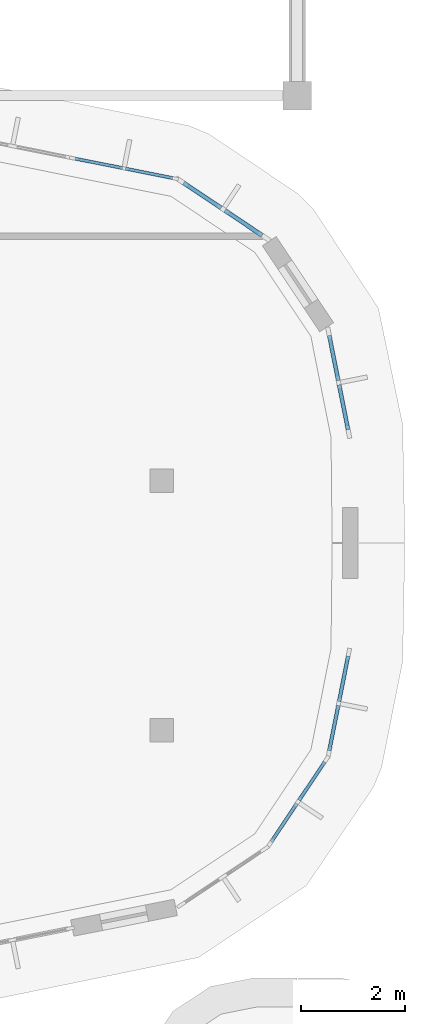
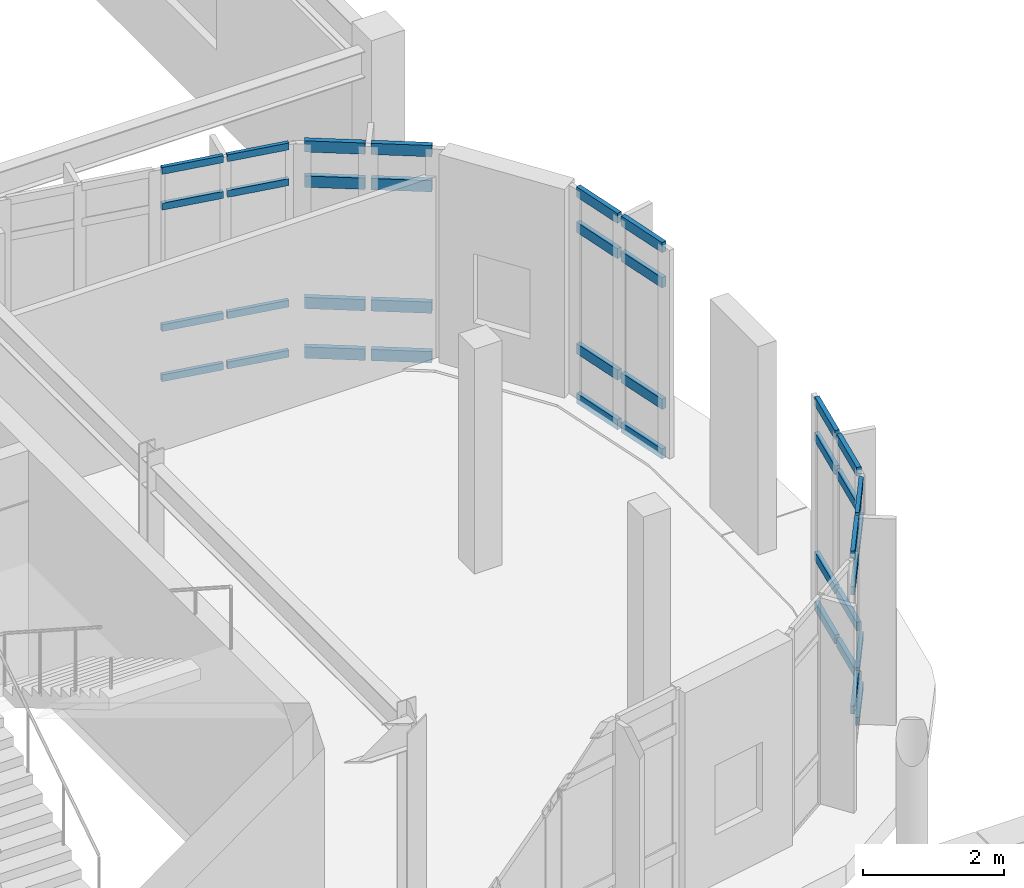
# One storey, part 61 of 111: 39 members, 5 elements without a shape of their own.
"""IFC4 building model written with IfcOpenShell, lengths in metres."""

from ifc_helpers import new_model, si_unit, direction, frame, origin, origin_2d, place, context, subcontext, project, spatial, rectangle, extrude, material, material_profile, profile_set, type_object, element, aggregate, save


model = new_model("IFC4")

# Units and contexts
model_context = context("Model", 3, precision=1e-05, world=origin(), true_north=direction((0.0, 1.0)))
body_context = subcontext(model_context, "Body", "Model", "MODEL_VIEW")
ifc_project = project(units=[si_unit("LENGTHUNIT", "METRE"), si_unit("AREAUNIT", "SQUARE_METRE"), si_unit("VOLUMEUNIT", "CUBIC_METRE"), si_unit("PLANEANGLEUNIT", "RADIAN"), si_unit("MASSUNIT", "GRAM", prefix="KILO")], contexts=[model_context])

# Site, building, storey
site_placement = place(None, origin())
site = spatial("IfcSite", under=ifc_project, at=site_placement, CompositionType="ELEMENT")
building_placement = place(site_placement, origin())
building = spatial("IfcBuilding", under=site, at=building_placement, Name="Corveleigh Park Community Centre", CompositionType="ELEMENT")
storey_placement = place(building_placement, frame((0.0, 0.0, 4.800048828125)))
storey = spatial("IfcBuildingStorey", under=building, at=storey_placement, Name="L01", CompositionType="ELEMENT", Elevation=4.800048828125)

# Curtain wall, members
ifc_material = material(Name="Anodised aluminium 6063-T6", Category="aluminium")
curtain_wall_type = type_object("IfcCurtainWallType", Name="CW-SYS-V2-HALL", PredefinedType="NOTDEFINED", material=ifc_material)
curtain_wall_1_placement = place(storey_placement, origin())
curtain_wall_1 = element("IfcCurtainWall", 1, at=curtain_wall_1_placement, inside=storey, type_object=curtain_wall_type, Name="V2 L01 Curtain Wall 211", PredefinedType="NOTDEFINED")
ifc_material_profile_1 = material_profile(ifc_material, rectangle(XDim=0.06005859375, YDim=0.1201171875, at=origin_2d()), Name="ALU-T60x120", Category="aluminium")
ifc_profile_set_1 = profile_set([ifc_material_profile_1], Name="Anodised aluminium 6063-T6")
member_type_1 = type_object("IfcMemberType", Name="CWT-60x120", PredefinedType="USERDEFINED", material=ifc_profile_set_1)
member_1_placement = place(storey_placement, frame((50.136962890625, 91.58740234375, 0.030029296875), z_axis=(0.980692321324, -0.195557078356, 0.0), x_axis=(0.195557078356, 0.980692321324, 0.0)))
member_1 = element("IfcMember", 2, at=member_1_placement, type_object=member_type_1, Name="CW04 transom 1.1", ObjectType="TRANSOM", PredefinedType="USERDEFINED", context=body_context, shape_type="SweptSolid", body=[
    extrude(rectangle(XDim=0.06005859375, YDim=0.1201171875, at=origin_2d()), origin(), (0.0, 0.0, 1.0), 0.923828125),
])
member_2_placement = place(storey_placement, frame((50.136962890625, 91.58740234375, 0.89990234375), z_axis=(0.980692321324, -0.195557078356, 0.0), x_axis=(0.195557078356, 0.980692321324, 0.0)))
member_2 = element("IfcMember", 3, at=member_2_placement, type_object=member_type_1, Name="CW04 transom 1.2", ObjectType="TRANSOM", PredefinedType="USERDEFINED", context=body_context, shape_type="SweptSolid", body=[
    extrude(rectangle(XDim=0.06005859375, YDim=0.1201171875, at=origin_2d()), origin(), (0.0, 0.0, 1.0), 0.923828125),
])
member_3_placement = place(storey_placement, frame((50.136962890625, 91.58740234375, 3.0068359375), z_axis=(0.980692321324, -0.195557078356, 0.0), x_axis=(0.195557078356, 0.980692321324, 0.0)))
member_3 = element("IfcMember", 4, at=member_3_placement, type_object=member_type_1, Name="CW04 transom 1.3", ObjectType="TRANSOM", PredefinedType="USERDEFINED", context=body_context, shape_type="SweptSolid", body=[
    extrude(rectangle(XDim=0.06005859375, YDim=0.1201171875, at=origin_2d()), origin(), (0.0, 0.0, 1.0), 0.923828125),
])
member_4_placement = place(storey_placement, frame((50.136962890625, 91.58740234375, 3.626953125), z_axis=(0.980692321324, -0.195557078356, 0.0), x_axis=(0.195557078356, 0.980692321324, 0.0)))
member_4 = element("IfcMember", 5, at=member_4_placement, type_object=member_type_1, Name="CW04 transom 1.4", ObjectType="TRANSOM", PredefinedType="USERDEFINED", context=body_context, shape_type="SweptSolid", body=[
    extrude(rectangle(XDim=0.06005859375, YDim=0.1201171875, at=origin_2d()), origin(), (0.0, 0.0, 1.0), 0.923828125),
])
member_5_placement = place(storey_placement, frame((51.101806640625, 91.395263671875, 0.030029296875), z_axis=(0.980702423621, -0.195506409881, 0.0), x_axis=(0.195506409881, 0.980702423621, 0.0)))
member_5 = element("IfcMember", 6, at=member_5_placement, type_object=member_type_1, Name="CW04 transom 2.1", ObjectType="TRANSOM", PredefinedType="USERDEFINED", context=body_context, shape_type="SweptSolid", body=[
    extrude(rectangle(XDim=0.06005859375, YDim=0.1201171875, at=origin_2d()), origin(), (0.0, 0.0, 1.0), 0.924072265625),
])
member_6_placement = place(storey_placement, frame((51.101806640625, 91.395263671875, 0.89990234375), z_axis=(0.980702423621, -0.195506409881, 0.0), x_axis=(0.195506409881, 0.980702423621, 0.0)))
member_6 = element("IfcMember", 7, at=member_6_placement, type_object=member_type_1, Name="CW04 transom 2.2", ObjectType="TRANSOM", PredefinedType="USERDEFINED", context=body_context, shape_type="SweptSolid", body=[
    extrude(rectangle(XDim=0.06005859375, YDim=0.1201171875, at=origin_2d()), origin(), (0.0, 0.0, 1.0), 0.924072265625),
])
member_7_placement = place(storey_placement, frame((51.101806640625, 91.395263671875, 3.0068359375), z_axis=(0.980702423621, -0.195506409881, 0.0), x_axis=(0.195506409881, 0.980702423621, 0.0)))
member_7 = element("IfcMember", 8, at=member_7_placement, type_object=member_type_1, Name="CW04 transom 2.3", ObjectType="TRANSOM", PredefinedType="USERDEFINED", context=body_context, shape_type="SweptSolid", body=[
    extrude(rectangle(XDim=0.06005859375, YDim=0.1201171875, at=origin_2d()), origin(), (0.0, 0.0, 1.0), 0.924072265625),
])
member_8_placement = place(storey_placement, frame((51.101806640625, 91.395263671875, 3.626953125), z_axis=(0.980702423621, -0.195506409881, 0.0), x_axis=(0.195506409881, 0.980702423621, 0.0)))
member_8 = element("IfcMember", 9, at=member_8_placement, type_object=member_type_1, Name="CW04 transom 2.4", ObjectType="TRANSOM", PredefinedType="USERDEFINED", context=body_context, shape_type="SweptSolid", body=[
    extrude(rectangle(XDim=0.06005859375, YDim=0.1201171875, at=origin_2d()), origin(), (0.0, 0.0, 1.0), 0.924072265625),
])
aggregate(curtain_wall_1, [member_1, member_2, member_3, member_4, member_5, member_6, member_7, member_8])

curtain_wall_2_placement = place(storey_placement, origin())
curtain_wall_2 = element("IfcCurtainWall", 10, at=curtain_wall_2_placement, inside=storey, type_object=curtain_wall_type, Name="V2 L01 Curtain Wall 207", PredefinedType="NOTDEFINED")
ifc_material_profile_2 = material_profile(ifc_material, rectangle(XDim=0.06494140625, YDim=0.139892578125, at=origin_2d()), Name="ALU-T65x140", Category="aluminium")
ifc_profile_set_2 = profile_set([ifc_material_profile_2], Name="Anodised aluminium 6063-T6")
member_type_2 = type_object("IfcMemberType", Name="CWT-65x140", PredefinedType="USERDEFINED", material=ifc_profile_set_2)
member_9_placement = place(storey_placement, frame((54.93017578125, 79.993896484375, 0.032470703125), z_axis=(-0.555459943482, -0.831543294836, 0.0), x_axis=(0.831543294836, -0.555459943482, 0.0)))
member_9 = element("IfcMember", 11, at=member_9_placement, type_object=member_type_2, Name="CW04 transom 1.1", ObjectType="TRANSOM", PredefinedType="USERDEFINED", context=body_context, shape_type="SweptSolid", body=[
    extrude(rectangle(XDim=0.06494140625, YDim=0.139892578125, at=origin_2d()), origin(), (0.0, 0.0, 1.0), 0.8896484375),
])
member_10_placement = place(storey_placement, frame((54.93017578125, 79.993896484375, 0.89990234375), z_axis=(-0.555459943482, -0.831543294836, 0.0), x_axis=(0.831543294836, -0.555459943482, 0.0)))
member_10 = element("IfcMember", 12, at=member_10_placement, type_object=member_type_2, Name="CW04 transom 1.2", ObjectType="TRANSOM", PredefinedType="USERDEFINED", context=body_context, shape_type="SweptSolid", body=[
    extrude(rectangle(XDim=0.06494140625, YDim=0.139892578125, at=origin_2d()), origin(), (0.0, 0.0, 1.0), 0.8896484375),
])
member_11_placement = place(storey_placement, frame((54.93017578125, 79.993896484375, 2.969970703125), z_axis=(-0.555459943482, -0.831543294836, 0.0), x_axis=(0.831543294836, -0.555459943482, 0.0)))
member_11 = element("IfcMember", 13, at=member_11_placement, type_object=member_type_2, Name="CW04 transom 1.3", ObjectType="TRANSOM", PredefinedType="USERDEFINED", context=body_context, shape_type="SweptSolid", body=[
    extrude(rectangle(XDim=0.06494140625, YDim=0.139892578125, at=origin_2d()), origin(), (0.0, 0.0, 1.0), 0.8896484375),
])
member_12_placement = place(storey_placement, frame((54.93017578125, 79.993896484375, 3.58740234375), z_axis=(-0.555459943482, -0.831543294836, 0.0), x_axis=(0.831543294836, -0.555459943482, 0.0)))
member_12 = element("IfcMember", 14, at=member_12_placement, type_object=member_type_2, Name="CW04 transom 1.4", ObjectType="TRANSOM", PredefinedType="USERDEFINED", context=body_context, shape_type="SweptSolid", body=[
    extrude(rectangle(XDim=0.06494140625, YDim=0.139892578125, at=origin_2d()), origin(), (0.0, 0.0, 1.0), 0.8896484375),
])
member_13_placement = place(storey_placement, frame((54.39697265625, 79.19580078125, 0.89990234375), z_axis=(-0.555586725262, -0.831458592302, 0.0), x_axis=(0.831458592302, -0.555586725262, 0.0)))
member_13 = element("IfcMember", 15, at=member_13_placement, type_object=member_type_2, Name="CW04 transom 2.2", ObjectType="TRANSOM", PredefinedType="USERDEFINED", context=body_context, shape_type="SweptSolid", body=[
    extrude(rectangle(XDim=0.06494140625, YDim=0.139892578125, at=origin_2d()), origin(), (0.0, 0.0, 1.0), 0.889404296875),
])
member_14_placement = place(storey_placement, frame((54.39697265625, 79.19580078125, 2.969970703125), z_axis=(-0.555586725262, -0.831458592302, 0.0), x_axis=(0.831458592302, -0.555586725262, 0.0)))
member_14 = element("IfcMember", 16, at=member_14_placement, type_object=member_type_2, Name="CW04 transom 2.3", ObjectType="TRANSOM", PredefinedType="USERDEFINED", context=body_context, shape_type="SweptSolid", body=[
    extrude(rectangle(XDim=0.06494140625, YDim=0.139892578125, at=origin_2d()), origin(), (0.0, 0.0, 1.0), 0.889404296875),
])
member_15_placement = place(storey_placement, frame((54.39697265625, 79.19580078125, 3.58740234375), z_axis=(-0.555586725262, -0.831458592302, 0.0), x_axis=(0.831458592302, -0.555586725262, 0.0)))
member_15 = element("IfcMember", 17, at=member_15_placement, type_object=member_type_2, Name="CW04 transom 2.4", ObjectType="TRANSOM", PredefinedType="USERDEFINED", context=body_context, shape_type="SweptSolid", body=[
    extrude(rectangle(XDim=0.06494140625, YDim=0.139892578125, at=origin_2d()), origin(), (0.0, 0.0, 1.0), 0.889404296875),
])
aggregate(curtain_wall_2, [member_9, member_10, member_11, member_12, member_13, member_14, member_15])

curtain_wall_3_placement = place(storey_placement, origin())
curtain_wall_3 = element("IfcCurtainWall", 18, at=curtain_wall_3_placement, inside=storey, type_object=curtain_wall_type, Name="V2 L01 Curtain Wall 208", PredefinedType="NOTDEFINED")
ifc_material_profile_3 = material_profile(ifc_material, rectangle(XDim=0.070068359375, YDim=0.155029296875, at=origin_2d()), Name="ALU-T70x155", Category="aluminium")
ifc_profile_set_3 = profile_set([ifc_material_profile_3], Name="Anodised aluminium 6063-T6")
member_type_3 = type_object("IfcMemberType", Name="CWT-70x155", PredefinedType="USERDEFINED", material=ifc_profile_set_3)
member_16_placement = place(storey_placement, frame((55.38037109375, 82.030517578125, 0.034912109375), z_axis=(-0.195063784741, -0.980790558622, 0.0), x_axis=(0.980790558622, -0.195063784741, 0.0)))
member_16 = element("IfcMember", 19, at=member_16_placement, type_object=member_type_3, Name="CW04 transom 1.1", ObjectType="TRANSOM", PredefinedType="USERDEFINED", context=body_context, shape_type="SweptSolid", body=[
    extrude(rectangle(XDim=0.070068359375, YDim=0.155029296875, at=origin_2d()), origin(), (0.0, 0.0, 1.0), 0.892333984375),
])
member_17_placement = place(storey_placement, frame((55.38037109375, 82.030517578125, 0.89990234375), z_axis=(-0.195063784741, -0.980790558622, 0.0), x_axis=(0.980790558622, -0.195063784741, 0.0)))
member_17 = element("IfcMember", 20, at=member_17_placement, type_object=member_type_3, Name="CW04 transom 1.2", ObjectType="TRANSOM", PredefinedType="USERDEFINED", context=body_context, shape_type="SweptSolid", body=[
    extrude(rectangle(XDim=0.070068359375, YDim=0.155029296875, at=origin_2d()), origin(), (0.0, 0.0, 1.0), 0.892333984375),
])
member_18_placement = place(storey_placement, frame((55.38037109375, 82.030517578125, 2.969970703125), z_axis=(-0.195063784741, -0.980790558622, 0.0), x_axis=(0.980790558622, -0.195063784741, 0.0)))
member_18 = element("IfcMember", 21, at=member_18_placement, type_object=member_type_3, Name="CW04 transom 1.3", ObjectType="TRANSOM", PredefinedType="USERDEFINED", context=body_context, shape_type="SweptSolid", body=[
    extrude(rectangle(XDim=0.070068359375, YDim=0.155029296875, at=origin_2d()), origin(), (0.0, 0.0, 1.0), 0.892333984375),
])
member_19_placement = place(storey_placement, frame((55.38037109375, 82.030517578125, 3.5849609375), z_axis=(-0.195063784741, -0.980790558622, 0.0), x_axis=(0.980790558622, -0.195063784741, 0.0)))
member_19 = element("IfcMember", 22, at=member_19_placement, type_object=member_type_3, Name="CW04 transom 1.4", ObjectType="TRANSOM", PredefinedType="USERDEFINED", context=body_context, shape_type="SweptSolid", body=[
    extrude(rectangle(XDim=0.070068359375, YDim=0.155029296875, at=origin_2d()), origin(), (0.0, 0.0, 1.0), 0.892333984375),
])
member_20_placement = place(storey_placement, frame((55.191650390625, 81.081787109375, 0.034912109375), z_axis=(-0.195063784741, -0.980790558622, 0.0), x_axis=(0.980790558622, -0.195063784741, 0.0)))
member_20 = element("IfcMember", 23, at=member_20_placement, type_object=member_type_3, Name="CW04 transom 2.1", ObjectType="TRANSOM", PredefinedType="USERDEFINED", context=body_context, shape_type="SweptSolid", body=[
    extrude(rectangle(XDim=0.070068359375, YDim=0.155029296875, at=origin_2d()), origin(), (0.0, 0.0, 1.0), 0.892333984375),
])
member_21_placement = place(storey_placement, frame((55.191650390625, 81.081787109375, 0.89990234375), z_axis=(-0.195063784741, -0.980790558622, 0.0), x_axis=(0.980790558622, -0.195063784741, 0.0)))
member_21 = element("IfcMember", 24, at=member_21_placement, type_object=member_type_3, Name="CW04 transom 2.2", ObjectType="TRANSOM", PredefinedType="USERDEFINED", context=body_context, shape_type="SweptSolid", body=[
    extrude(rectangle(XDim=0.070068359375, YDim=0.155029296875, at=origin_2d()), origin(), (0.0, 0.0, 1.0), 0.892333984375),
])
member_22_placement = place(storey_placement, frame((55.191650390625, 81.081787109375, 2.969970703125), z_axis=(-0.195063784741, -0.980790558622, 0.0), x_axis=(0.980790558622, -0.195063784741, 0.0)))
member_22 = element("IfcMember", 25, at=member_22_placement, type_object=member_type_3, Name="CW04 transom 2.3", ObjectType="TRANSOM", PredefinedType="USERDEFINED", context=body_context, shape_type="SweptSolid", body=[
    extrude(rectangle(XDim=0.070068359375, YDim=0.155029296875, at=origin_2d()), origin(), (0.0, 0.0, 1.0), 0.892333984375),
])
member_23_placement = place(storey_placement, frame((55.191650390625, 81.081787109375, 3.5849609375), z_axis=(-0.195063784741, -0.980790558622, 0.0), x_axis=(0.980790558622, -0.195063784741, 0.0)))
member_23 = element("IfcMember", 26, at=member_23_placement, type_object=member_type_3, Name="CW04 transom 2.4", ObjectType="TRANSOM", PredefinedType="USERDEFINED", context=body_context, shape_type="SweptSolid", body=[
    extrude(rectangle(XDim=0.070068359375, YDim=0.155029296875, at=origin_2d()), origin(), (0.0, 0.0, 1.0), 0.892333984375),
])
aggregate(curtain_wall_3, [member_16, member_17, member_18, member_19, member_20, member_21, member_22, member_23])

curtain_wall_4_placement = place(storey_placement, origin())
curtain_wall_4 = element("IfcCurtainWall", 27, at=curtain_wall_4_placement, inside=storey, type_object=curtain_wall_type, Name="V2 L01 Curtain Wall 209", PredefinedType="NOTDEFINED")
ifc_material_profile_4 = material_profile(ifc_material, rectangle(XDim=0.074951171875, YDim=0.175048828125, at=origin_2d()), Name="ALU-T75x175", Category="aluminium")
ifc_profile_set_4 = profile_set([ifc_material_profile_4], Name="Anodised aluminium 6063-T6")
member_type_4 = type_object("IfcMemberType", Name="CWT-75x175", PredefinedType="USERDEFINED", material=ifc_profile_set_4)
member_24_placement = place(storey_placement, frame((55.0185546875, 88.1884765625, 0.037353515625), z_axis=(0.19510769552, -0.980781824438, 0.0), x_axis=(0.980781824438, 0.19510769552, 0.0)))
member_24 = element("IfcMember", 28, at=member_24_placement, type_object=member_type_4, Name="CW04 transom 1.1", ObjectType="TRANSOM", PredefinedType="USERDEFINED", context=body_context, shape_type="SweptSolid", body=[
    extrude(rectangle(XDim=0.074951171875, YDim=0.175048828125, at=origin_2d()), origin(), (0.0, 0.0, 1.0), 0.884765625),
])
member_25_placement = place(storey_placement, frame((55.0185546875, 88.1884765625, 0.89990234375), z_axis=(0.19510769552, -0.980781824438, 0.0), x_axis=(0.980781824438, 0.19510769552, 0.0)))
member_25 = element("IfcMember", 29, at=member_25_placement, type_object=member_type_4, Name="CW04 transom 1.2", ObjectType="TRANSOM", PredefinedType="USERDEFINED", context=body_context, shape_type="SweptSolid", body=[
    extrude(rectangle(XDim=0.074951171875, YDim=0.175048828125, at=origin_2d()), origin(), (0.0, 0.0, 1.0), 0.884765625),
])
member_26_placement = place(storey_placement, frame((55.0185546875, 88.1884765625, 3.0068359375), z_axis=(0.19510769552, -0.980781824438, 0.0), x_axis=(0.980781824438, 0.19510769552, 0.0)))
member_26 = element("IfcMember", 30, at=member_26_placement, type_object=member_type_4, Name="CW04 transom 1.3", ObjectType="TRANSOM", PredefinedType="USERDEFINED", context=body_context, shape_type="SweptSolid", body=[
    extrude(rectangle(XDim=0.074951171875, YDim=0.175048828125, at=origin_2d()), origin(), (0.0, 0.0, 1.0), 0.884765625),
])
member_27_placement = place(storey_placement, frame((55.0185546875, 88.1884765625, 3.619384765625), z_axis=(0.19510769552, -0.980781824438, 0.0), x_axis=(0.980781824438, 0.19510769552, 0.0)))
member_27 = element("IfcMember", 31, at=member_27_placement, type_object=member_type_4, Name="CW04 transom 1.4", ObjectType="TRANSOM", PredefinedType="USERDEFINED", context=body_context, shape_type="SweptSolid", body=[
    extrude(rectangle(XDim=0.074951171875, YDim=0.175048828125, at=origin_2d()), origin(), (0.0, 0.0, 1.0), 0.884765625),
])
member_28_placement = place(storey_placement, frame((55.206787109375, 87.2421875, 0.037353515625), z_axis=(0.19510769552, -0.980781824438, 0.0), x_axis=(0.980781824438, 0.19510769552, 0.0)))
member_28 = element("IfcMember", 32, at=member_28_placement, type_object=member_type_4, Name="CW04 transom 2.1", ObjectType="TRANSOM", PredefinedType="USERDEFINED", context=body_context, shape_type="SweptSolid", body=[
    extrude(rectangle(XDim=0.074951171875, YDim=0.175048828125, at=origin_2d()), origin(), (0.0, 0.0, 1.0), 0.884765625),
])
member_29_placement = place(storey_placement, frame((55.206787109375, 87.2421875, 0.89990234375), z_axis=(0.19510769552, -0.980781824438, 0.0), x_axis=(0.980781824438, 0.19510769552, 0.0)))
member_29 = element("IfcMember", 33, at=member_29_placement, type_object=member_type_4, Name="CW04 transom 2.2", ObjectType="TRANSOM", PredefinedType="USERDEFINED", context=body_context, shape_type="SweptSolid", body=[
    extrude(rectangle(XDim=0.074951171875, YDim=0.175048828125, at=origin_2d()), origin(), (0.0, 0.0, 1.0), 0.884765625),
])
member_30_placement = place(storey_placement, frame((55.206787109375, 87.2421875, 3.0068359375), z_axis=(0.19510769552, -0.980781824438, 0.0), x_axis=(0.980781824438, 0.19510769552, 0.0)))
member_30 = element("IfcMember", 34, at=member_30_placement, type_object=member_type_4, Name="CW04 transom 2.3", ObjectType="TRANSOM", PredefinedType="USERDEFINED", context=body_context, shape_type="SweptSolid", body=[
    extrude(rectangle(XDim=0.074951171875, YDim=0.175048828125, at=origin_2d()), origin(), (0.0, 0.0, 1.0), 0.884765625),
])
member_31_placement = place(storey_placement, frame((55.206787109375, 87.2421875, 3.619384765625), z_axis=(0.19510769552, -0.980781824438, 0.0), x_axis=(0.980781824438, 0.19510769552, 0.0)))
member_31 = element("IfcMember", 35, at=member_31_placement, type_object=member_type_4, Name="CW04 transom 2.4", ObjectType="TRANSOM", PredefinedType="USERDEFINED", context=body_context, shape_type="SweptSolid", body=[
    extrude(rectangle(XDim=0.074951171875, YDim=0.175048828125, at=origin_2d()), origin(), (0.0, 0.0, 1.0), 0.884765625),
])
aggregate(curtain_wall_4, [member_24, member_25, member_26, member_27, member_28, member_29, member_30, member_31])

curtain_wall_5_placement = place(storey_placement, origin())
curtain_wall_5 = element("IfcCurtainWall", 36, at=curtain_wall_5_placement, inside=storey, type_object=curtain_wall_type, Name="V2 L01 Curtain Wall 210", PredefinedType="NOTDEFINED")
ifc_material_profile_5 = material_profile(ifc_material, rectangle(XDim=0.080078125, YDim=0.195068359375, at=origin_2d()), Name="ALU-T80x195", Category="aluminium")
ifc_profile_set_5 = profile_set([ifc_material_profile_5], Name="Anodised aluminium 6063-T6")
member_type_5 = type_object("IfcMemberType", Name="CWT-80x195", PredefinedType="USERDEFINED", material=ifc_profile_set_5)
member_32_placement = place(storey_placement, frame((52.21875, 91.121826171875, 0.0400390625), z_axis=(0.831486718429, -0.55554463104, 0.0), x_axis=(0.55554463104, 0.831486718429, 0.0)))
member_32 = element("IfcMember", 37, at=member_32_placement, type_object=member_type_5, Name="CW04 transom 1.1", ObjectType="TRANSOM", PredefinedType="USERDEFINED", context=body_context, shape_type="SweptSolid", body=[
    extrude(rectangle(XDim=0.080078125, YDim=0.195068359375, at=origin_2d()), origin(), (0.0, 0.0, 1.0), 0.866943359375),
])
member_33_placement = place(storey_placement, frame((52.21875, 91.121826171875, 0.89990234375), z_axis=(0.831486718429, -0.55554463104, 0.0), x_axis=(0.55554463104, 0.831486718429, 0.0)))
member_33 = element("IfcMember", 38, at=member_33_placement, type_object=member_type_5, Name="CW04 transom 1.2", ObjectType="TRANSOM", PredefinedType="USERDEFINED", context=body_context, shape_type="SweptSolid", body=[
    extrude(rectangle(XDim=0.080078125, YDim=0.195068359375, at=origin_2d()), origin(), (0.0, 0.0, 1.0), 0.866943359375),
])
member_34_placement = place(storey_placement, frame((52.21875, 91.121826171875, 3.0068359375), z_axis=(0.831486718429, -0.55554463104, 0.0), x_axis=(0.55554463104, 0.831486718429, 0.0)))
member_34 = element("IfcMember", 39, at=member_34_placement, type_object=member_type_5, Name="CW04 transom 1.3", ObjectType="TRANSOM", PredefinedType="USERDEFINED", context=body_context, shape_type="SweptSolid", body=[
    extrude(rectangle(XDim=0.080078125, YDim=0.195068359375, at=origin_2d()), origin(), (0.0, 0.0, 1.0), 0.866943359375),
])
member_35_placement = place(storey_placement, frame((52.21875, 91.121826171875, 3.616943359375), z_axis=(0.831486718429, -0.55554463104, 0.0), x_axis=(0.55554463104, 0.831486718429, 0.0)))
member_35 = element("IfcMember", 40, at=member_35_placement, type_object=member_type_5, Name="CW04 transom 1.4", ObjectType="TRANSOM", PredefinedType="USERDEFINED", context=body_context, shape_type="SweptSolid", body=[
    extrude(rectangle(XDim=0.080078125, YDim=0.195068359375, at=origin_2d()), origin(), (0.0, 0.0, 1.0), 0.866943359375),
])
member_36_placement = place(storey_placement, frame((53.01025390625, 90.5927734375, 0.0400390625), z_axis=(0.831616782684, -0.555349913801, 0.0), x_axis=(0.555349913801, 0.831616782684, 0.0)))
member_36 = element("IfcMember", 41, at=member_36_placement, type_object=member_type_5, Name="CW04 transom 2.1", ObjectType="TRANSOM", PredefinedType="USERDEFINED", context=body_context, shape_type="SweptSolid", body=[
    extrude(rectangle(XDim=0.080078125, YDim=0.195068359375, at=origin_2d()), origin(), (0.0, 0.0, 1.0), 0.866943359375),
])
member_37_placement = place(storey_placement, frame((53.01025390625, 90.5927734375, 0.89990234375), z_axis=(0.831616782684, -0.555349913801, 0.0), x_axis=(0.555349913801, 0.831616782684, 0.0)))
member_37 = element("IfcMember", 42, at=member_37_placement, type_object=member_type_5, Name="CW04 transom 2.2", ObjectType="TRANSOM", PredefinedType="USERDEFINED", context=body_context, shape_type="SweptSolid", body=[
    extrude(rectangle(XDim=0.080078125, YDim=0.195068359375, at=origin_2d()), origin(), (0.0, 0.0, 1.0), 0.866943359375),
])
member_38_placement = place(storey_placement, frame((53.01025390625, 90.5927734375, 3.0068359375), z_axis=(0.831616782684, -0.555349913801, 0.0), x_axis=(0.555349913801, 0.831616782684, 0.0)))
member_38 = element("IfcMember", 43, at=member_38_placement, type_object=member_type_5, Name="CW04 transom 2.3", ObjectType="TRANSOM", PredefinedType="USERDEFINED", context=body_context, shape_type="SweptSolid", body=[
    extrude(rectangle(XDim=0.080078125, YDim=0.195068359375, at=origin_2d()), origin(), (0.0, 0.0, 1.0), 0.866943359375),
])
member_39_placement = place(storey_placement, frame((53.01025390625, 90.5927734375, 3.616943359375), z_axis=(0.831616782684, -0.555349913801, 0.0), x_axis=(0.555349913801, 0.831616782684, 0.0)))
member_39 = element("IfcMember", 44, at=member_39_placement, type_object=member_type_5, Name="CW04 transom 2.4", ObjectType="TRANSOM", PredefinedType="USERDEFINED", context=body_context, shape_type="SweptSolid", body=[
    extrude(rectangle(XDim=0.080078125, YDim=0.195068359375, at=origin_2d()), origin(), (0.0, 0.0, 1.0), 0.866943359375),
])
aggregate(curtain_wall_5, [member_32, member_33, member_34, member_35, member_36, member_37, member_38, member_39])

save(model, "model.ifc")
